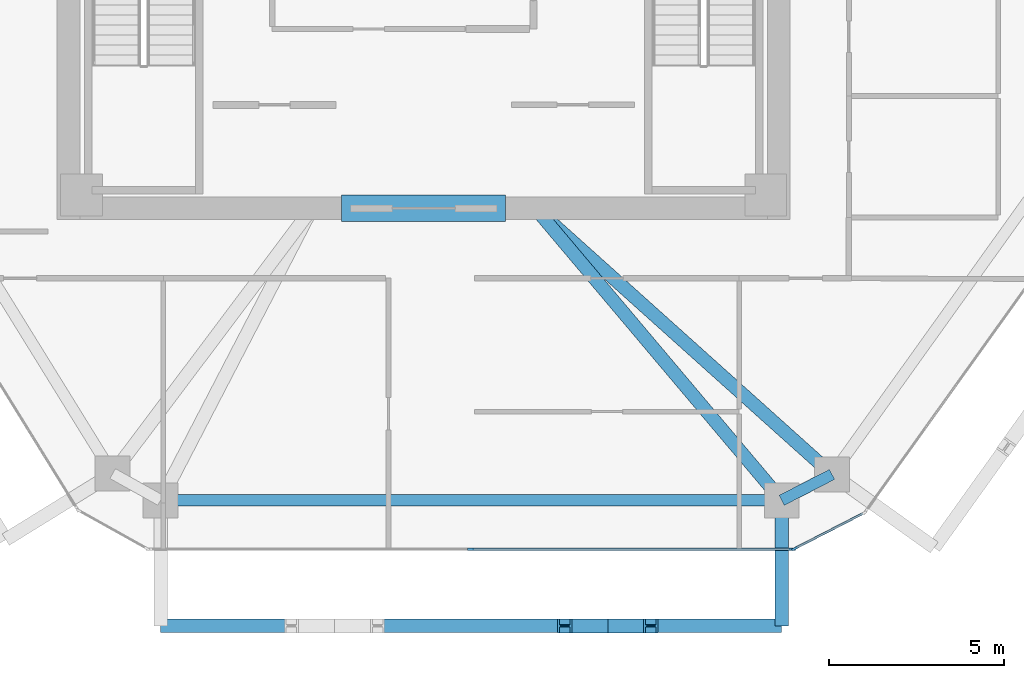
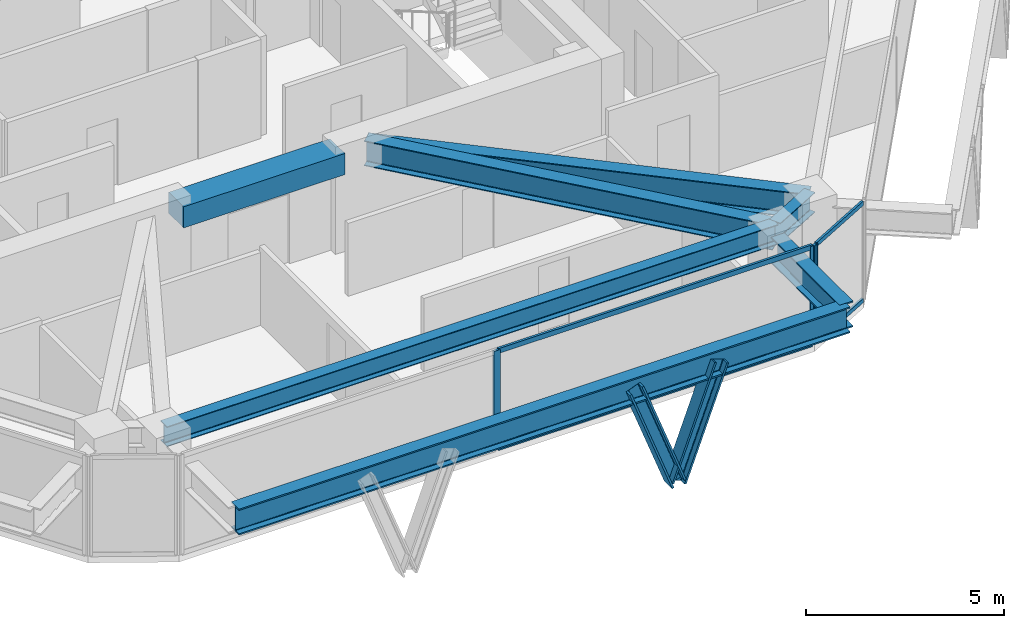
# One storey, part 3 of 11: 9 members, 7 beams, 2 elements without a shape of their own.
"""IFC4 building model written with IfcOpenShell, lengths in metres."""

from ifc_helpers import new_model, si_unit, direction, frame, origin, origin_2d, place, context, subcontext, project, spatial, rectangle, i_section, extrude, source, transform, mapped, material, layer, layer_set, material_profile, profile_set, type_object, type_shapes, element, aggregate, save


model = new_model("IFC4")

# Units and contexts
model_context = context("Model", 3, precision=1e-05, world=origin(), true_north=direction((0.0, 1.0)))
body_context = subcontext(model_context, "Body", "Model", "MODEL_VIEW")
ifc_project = project(units=[si_unit("LENGTHUNIT", "METRE"), si_unit("AREAUNIT", "SQUARE_METRE"), si_unit("VOLUMEUNIT", "CUBIC_METRE"), si_unit("PLANEANGLEUNIT", "RADIAN"), si_unit("MASSUNIT", "GRAM", prefix="KILO")], contexts=[model_context])

# Site, building, storey
site_placement = place(None, origin())
site = spatial("IfcSite", under=ifc_project, at=site_placement, CompositionType="ELEMENT")
building_placement = place(site_placement, origin())
building = spatial("IfcBuilding", under=site, at=building_placement, Name="Durnholm Broadcast Tower", CompositionType="ELEMENT")
storey_placement = place(building_placement, frame((0.0, 0.0, 196.89990234375)))
storey = spatial("IfcBuildingStorey", under=building, at=storey_placement, Name="L54", CompositionType="ELEMENT", Elevation=196.89990234375)

# Beams
ifc_material_1 = material(Name="Concrete C70/85", Category="concrete")
ifc_material_profile_1 = material_profile(ifc_material_1, rectangle(XDim=0.75, YDim=0.64990234375, at=origin_2d()), Name="RC750X650")
ifc_profile_set_1 = profile_set([ifc_material_profile_1], Name="Concrete C70/85")
beam_type_1 = type_object("IfcBeamType", Name="BM-CB-RC650", PredefinedType="LINTEL", material=ifc_profile_set_1)
shared_shape_1 = source(origin(), body_context, "Body", "SweptSolid", [
    extrude(rectangle(XDim=0.75, YDim=0.64990234375, at=origin_2d()), origin(), (0.0, 0.0, 1.0), 4.7001953125),
])
type_shapes(beam_type_1, [shared_shape_1])
beam_1_placement = place(storey_placement, frame((-2.35009765625, -8.175048828125, 2.72998046875), z_axis=(1.0, 0.0, 0.0), x_axis=(0.0, 1.0, 0.0)))
element("IfcBeam", 1, at=beam_1_placement, inside=storey, type_object=beam_type_1, Name="L54 south core coupling lintel beam CB-S", PredefinedType="LINTEL", context=body_context, shape_type="MappedRepresentation", body=[
    mapped(shared_shape_1, transform((0.0, 0.0, 0.0), x_axis=(1.0, 0.0, 0.0), y_axis=(0.0, 1.0, 0.0), z_axis=(0.0, 0.0, 1.0), scale=1.0)),
])
ifc_material_2 = material(Name="Steel ASTM A992 Grade 50", Category="steel")
ifc_material_profile_2 = material_profile(ifc_material_2, i_section(OverallWidth=0.385009765625, OverallDepth=0.802978515625, WebThickness=0.023681640625, FlangeThickness=0.0419921875, FilletRadius=0.032958984375, at=origin_2d()), Name="W30X261")
ifc_profile_set_2 = profile_set([ifc_material_profile_2], Name="Steel ASTM A992 Grade 50")
beam_type_2 = type_object("IfcBeamType", Name="BM-EXO-TIE", PredefinedType="USERDEFINED", material=ifc_profile_set_2)
shared_shape_2 = source(origin(), body_context, "Body", "SweptSolid", [
    extrude(i_section(OverallWidth=0.385009765625, OverallDepth=0.802978515625, WebThickness=0.023681640625, FlangeThickness=0.0419921875, FilletRadius=0.032958984375, at=origin_2d()), origin(), (0.0, 0.0, 1.0), 3.4560546875),
])
beam_2_placement = place(storey_placement, frame((10.256591796875, -16.68603515625, 2.30859375), z_axis=(0.0, -1.0, 0.0), x_axis=(1.0, 0.0, 0.0)))
element("IfcBeam", 2, at=beam_2_placement, inside=storey, type_object=beam_type_2, Name="L54 exoskeleton stand-off tie bracket F1.2", ObjectType="GIRDER", PredefinedType="USERDEFINED", context=body_context, shape_type="MappedRepresentation", body=[
    mapped(shared_shape_2, transform((0.0, 0.0, 0.0), x_axis=(1.0, 0.0, 0.0), y_axis=(0.0, 1.0, 0.0), z_axis=(0.0, 0.0, 1.0), scale=1.0)),
])
ifc_material_profile_3 = material_profile(ifc_material_2, i_section(OverallWidth=0.3251953125, OverallDepth=0.6162109375, WebThickness=0.013916015625, FlangeThickness=0.021484375, FilletRadius=0.02783203125, at=origin_2d()), Name="W24X117")
ifc_profile_set_3 = profile_set([ifc_material_profile_3], Name="Steel ASTM A992 Grade 50")
beam_type_3 = type_object("IfcBeamType", Name="STL-SP-W24X117", PredefinedType="SPANDREL", material=ifc_profile_set_3)
shared_shape_3 = source(origin(), body_context, "Body", "SweptSolid", [
    extrude(i_section(OverallWidth=0.3251953125, OverallDepth=0.6162109375, WebThickness=0.013916015625, FlangeThickness=0.021484375, FilletRadius=0.02783203125, at=origin_2d()), origin(), (0.0, 0.0, 1.0), 1.62255859375),
])
beam_3_placement = place(storey_placement, frame((11.69970703125, -15.80029296875, 2.737060546875), z_axis=(-0.889406668864, -0.45711680934, 0.0), x_axis=(0.45711680934, -0.889406668864, 0.0)))
element("IfcBeam", 3, at=beam_3_placement, inside=storey, type_object=beam_type_3, Name="L54 perimeter spandrel girder 10", PredefinedType="SPANDREL", context=body_context, shape_type="MappedRepresentation", body=[
    mapped(shared_shape_3, transform((0.0, 0.0, 0.0), x_axis=(1.0, 0.0, 0.0), y_axis=(0.0, 1.0, 0.0), z_axis=(0.0, 0.0, 1.0), scale=1.0)),
])
shared_shape_4 = source(origin(), body_context, "Body", "SweptSolid", [
    extrude(i_section(OverallWidth=0.3251953125, OverallDepth=0.6162109375, WebThickness=0.013916015625, FlangeThickness=0.021484375, FilletRadius=0.02783203125, at=origin_2d()), origin(), (0.0, 0.0, 1.0), 17.796142578125),
])
type_shapes(beam_type_3, [shared_shape_3, shared_shape_4])
beam_4_placement = place(storey_placement, frame((10.256591796875, -16.5419921875, 2.737060546875), z_axis=(-1.0, 0.0, 0.0), x_axis=(0.0, -1.0, 0.0)))
element("IfcBeam", 4, at=beam_4_placement, inside=storey, type_object=beam_type_3, Name="L54 perimeter spandrel girder 11", PredefinedType="SPANDREL", context=body_context, shape_type="MappedRepresentation", body=[
    mapped(shared_shape_4, transform((0.0, 0.0, 0.0), x_axis=(1.0, 0.0, 0.0), y_axis=(0.0, 1.0, 0.0), z_axis=(0.0, 0.0, 1.0), scale=1.0)),
])
shared_shape_5 = source(origin(), body_context, "Body", "SweptSolid", [
    extrude(i_section(OverallWidth=0.385009765625, OverallDepth=0.802978515625, WebThickness=0.023681640625, FlangeThickness=0.0419921875, FilletRadius=0.032958984375, at=origin_2d()), origin(), (0.0, 0.0, 1.0), 17.796142578125),
])
type_shapes(beam_type_2, [shared_shape_2, shared_shape_5])
beam_5_placement = place(storey_placement, frame((-7.53955078125, -20.14208984375, 2.30859375), z_axis=(1.0, 0.0, 0.0), x_axis=(0.0, 1.0, 0.0)))
element("IfcBeam", 5, at=beam_5_placement, inside=storey, type_object=beam_type_2, Name="L54 exoskeleton collector spandrel F1", PredefinedType="SPANDREL", context=body_context, shape_type="MappedRepresentation", body=[
    mapped(shared_shape_5, transform((0.0, 0.0, 0.0), x_axis=(1.0, 0.0, 0.0), y_axis=(0.0, 1.0, 0.0), z_axis=(0.0, 0.0, 1.0), scale=1.0)),
])
ifc_material_profile_4 = material_profile(ifc_material_2, i_section(OverallWidth=0.380615234375, OverallDepth=0.773193359375, WebThickness=0.0166015625, FlangeThickness=0.027099609375, FilletRadius=0.032958984375, at=origin_2d()), Name="W30X173")
ifc_profile_set_4 = profile_set([ifc_material_profile_4], Name="Steel ASTM A992 Grade 50")
beam_type_4 = type_object("IfcBeamType", Name="STL-GR-W30X173", PredefinedType="USERDEFINED", material=ifc_profile_set_4)
shared_shape_6 = source(origin(), body_context, "Body", "SweptSolid", [
    extrude(i_section(OverallWidth=0.380615234375, OverallDepth=0.773193359375, WebThickness=0.0166015625, FlangeThickness=0.027099609375, FilletRadius=0.032958984375, at=origin_2d()), origin(), (0.0, 0.0, 1.0), 11.4189453125),
])
beam_6_placement = place(storey_placement, frame((3.199951171875, -8.175048828125, 2.658447265625), z_axis=(0.744361631918, -0.667776729849, 0.0), x_axis=(0.667776729849, 0.744361631918, 0.0)))
element("IfcBeam", 6, at=beam_6_placement, inside=storey, type_object=beam_type_4, Name="L54 radial primary floor girder 10", ObjectType="GIRDER", PredefinedType="USERDEFINED", context=body_context, shape_type="MappedRepresentation", body=[
    mapped(shared_shape_6, transform((0.0, 0.0, 0.0), x_axis=(1.0, 0.0, 0.0), y_axis=(0.0, 1.0, 0.0), z_axis=(0.0, 0.0, 1.0), scale=1.0)),
])
shared_shape_7 = source(origin(), body_context, "Body", "SweptSolid", [
    extrude(i_section(OverallWidth=0.380615234375, OverallDepth=0.773193359375, WebThickness=0.0166015625, FlangeThickness=0.027099609375, FilletRadius=0.032958984375, at=origin_2d()), origin(), (0.0, 0.0, 1.0), 10.9453125),
])
type_shapes(beam_type_4, [shared_shape_6, shared_shape_7])
beam_7_placement = place(storey_placement, frame((3.199951171875, -8.175048828125, 2.658447265625), z_axis=(0.644712536066, -0.764425108065, 0.0), x_axis=(0.764425108065, 0.644712536066, 0.0)))
element("IfcBeam", 7, at=beam_7_placement, inside=storey, type_object=beam_type_4, Name="L54 radial primary floor girder 11", ObjectType="GIRDER", PredefinedType="USERDEFINED", context=body_context, shape_type="MappedRepresentation", body=[
    mapped(shared_shape_7, transform((0.0, 0.0, 0.0), x_axis=(1.0, 0.0, 0.0), y_axis=(0.0, 1.0, 0.0), z_axis=(0.0, 0.0, 1.0), scale=1.0)),
])

# Members
ifc_material_3 = material(Name="Steel ASTM A913 Grade 65", Category="steel")
ifc_material_profile_5 = material_profile(ifc_material_3, i_section(OverallWidth=0.412109375, OverallDepth=0.434814453125, WebThickness=0.035888671875, FlangeThickness=0.057373046875, FilletRadius=0.030517578125, at=origin_2d()), Name="W14X311")
ifc_profile_set_5 = profile_set([ifc_material_profile_5], Name="Steel ASTM A913 Grade 65")
member_type_1 = type_object("IfcMemberType", Name="STL-DG-W14X311", PredefinedType="BRACE", material=ifc_profile_set_5)
shared_shape_8 = source(origin(), body_context, "Body", "SweptSolid", [
    extrude(i_section(OverallWidth=0.412109375, OverallDepth=0.434814453125, WebThickness=0.035888671875, FlangeThickness=0.057373046875, FilletRadius=0.030517578125, at=origin_2d()), origin(), (0.0, 0.0, 1.0), 3.523193359375),
])
type_shapes(member_type_1, [shared_shape_8])
for number, where, z_axis, x_axis, name in (
    (8, (5.273681640625, -20.14208984375, -0.991455078125), (-0.350219588454, 0.0, 0.936667625075), (0.0, -1.0, 0.0), "L54 stand-off diagrid brace F1.D2.1"),
    (9, (5.273681640625, -20.14208984375, -0.991455078125), (0.350219588454, 0.0, 0.936667625075), (0.0, 1.0, 0.0), "L54 stand-off diagrid brace F1.D2.2"),
):
    element("IfcMember", number, at=place(storey_placement, frame(where, z_axis=z_axis, x_axis=x_axis)), inside=storey, type_object=member_type_1, Name=name, PredefinedType="BRACE", context=body_context, shape_type="MappedRepresentation", body=[
        mapped(shared_shape_8, transform((0.0, 0.0, 0.0), x_axis=(1.0, 0.0, 0.0), y_axis=(0.0, 1.0, 0.0), z_axis=(0.0, 0.0, 1.0), scale=1.0)),
    ])

# Curtain wall, members
ifc_material_4 = material(Name="Aluminium and Solar Control IGU", Category="aluminium")
ifc_layer_1 = layer(ifc_material_4, 0.1650390625)
ifc_layer_set_1 = layer_set([ifc_layer_1], Name="Aluminium and Solar Control IGU")
curtain_wall_type_1 = type_object("IfcCurtainWallType", Name="CW-SYS-5", PredefinedType="NOTDEFINED", material=ifc_layer_set_1)
curtain_wall_1_placement = place(storey_placement, origin())
curtain_wall_1 = element("IfcCurtainWall", 10, at=curtain_wall_1_placement, inside=storey, type_object=curtain_wall_type_1, Name="L54 curtain wall CW-CORNER CW-L54-CRN-09", PredefinedType="NOTDEFINED")
ifc_material_5 = material(Name="Aluminium 6063-T6", Category="aluminium")
ifc_material_profile_6 = material_profile(ifc_material_5, rectangle(XDim=0.06494140625, YDim=0.1650390625, at=origin_2d()), Name="CWM65X165")
ifc_profile_set_6 = profile_set([ifc_material_profile_6], Name="Aluminium 6063-T6")
member_type_2 = type_object("IfcMemberType", Name="CW-SYS-5-MUL", PredefinedType="MULLION", material=ifc_profile_set_6)
shared_shape_9 = source(origin(), body_context, "Body", "SweptSolid", [
    extrude(rectangle(XDim=0.06494140625, YDim=0.1650390625, at=origin_2d()), origin(), (0.0, 0.0, 1.0), 3.06005859375),
])
type_shapes(member_type_2, [shared_shape_9])
member_1_placement = place(storey_placement, frame((10.624267578125, -17.92724609375, 0.0), z_axis=(0.0, 0.0, 1.0), x_axis=(0.457081764476, -0.889424679545, 0.0)))
member_1 = element("IfcMember", 11, at=member_1_placement, type_object=member_type_2, Name="CW-CORNER mullion 2", PredefinedType="MULLION", context=body_context, shape_type="MappedRepresentation", body=[
    mapped(shared_shape_9, transform((0.0, 0.0, 0.0), x_axis=(1.0, 0.0, 0.0), y_axis=(0.0, 1.0, 0.0), z_axis=(0.0, 0.0, 1.0), scale=1.0)),
])
ifc_material_profile_7 = material_profile(ifc_material_5, rectangle(XDim=0.06494140625, YDim=0.1298828125, at=origin_2d()), Name="CWT65X130")
ifc_profile_set_7 = profile_set([ifc_material_profile_7], Name="Aluminium 6063-T6")
member_type_3 = type_object("IfcMemberType", Name="CW-SYS-5-TRN", PredefinedType="USERDEFINED", material=ifc_profile_set_7)
shared_shape_10 = source(origin(), body_context, "Body", "SweptSolid", [
    extrude(rectangle(XDim=0.06494140625, YDim=0.1298828125, at=origin_2d()), origin(), (0.0, 0.0, 1.0), 2.170166015625),
])
type_shapes(member_type_3, [shared_shape_10])
member_2_placement = place(storey_placement, frame((12.583251953125, -16.92041015625, 0.03271484375), z_axis=(-0.889422414772, -0.457086171417, 0.0), x_axis=(0.457086171417, -0.889422414772, 0.0)))
member_2 = element("IfcMember", 12, at=member_2_placement, type_object=member_type_3, Name="CW-CORNER transom 1.1", ObjectType="TRANSOM", PredefinedType="USERDEFINED", context=body_context, shape_type="MappedRepresentation", body=[
    mapped(shared_shape_10, transform((0.0, 0.0, 0.0), x_axis=(1.0, 0.0, 0.0), y_axis=(0.0, 1.0, 0.0), z_axis=(0.0, 0.0, 1.0), scale=1.0)),
])
member_3_placement = place(storey_placement, frame((12.583251953125, -16.92041015625, 3.027587890625), z_axis=(-0.889422414772, -0.457086171417, 0.0), x_axis=(0.457086171417, -0.889422414772, 0.0)))
member_3 = element("IfcMember", 13, at=member_3_placement, type_object=member_type_3, Name="CW-CORNER transom 1.2", ObjectType="TRANSOM", PredefinedType="USERDEFINED", context=body_context, shape_type="MappedRepresentation", body=[
    mapped(shared_shape_10, transform((0.0, 0.0, 0.0), x_axis=(1.0, 0.0, 0.0), y_axis=(0.0, 1.0, 0.0), z_axis=(0.0, 0.0, 1.0), scale=1.0)),
])
aggregate(curtain_wall_1, [member_1, member_2, member_3])

ifc_layer_2 = layer(ifc_material_4, 0.18994140625)
ifc_layer_set_2 = layer_set([ifc_layer_2], Name="Aluminium and Solar Control IGU")
curtain_wall_type_2 = type_object("IfcCurtainWallType", Name="CW-SYS-4", PredefinedType="NOTDEFINED", material=ifc_layer_set_2)
curtain_wall_2_placement = place(storey_placement, origin())
curtain_wall_2 = element("IfcCurtainWall", 14, at=curtain_wall_2_placement, inside=storey, type_object=curtain_wall_type_2, Name="L54 curtain wall CW-Z34-VIS CW-L54-F10", PredefinedType="NOTDEFINED")
ifc_material_profile_8 = material_profile(ifc_material_5, rectangle(XDim=0.070068359375, YDim=0.14990234375, at=origin_2d()), Name="CWT70X150")
ifc_profile_set_8 = profile_set([ifc_material_profile_8], Name="Aluminium 6063-T6")
member_type_4 = type_object("IfcMemberType", Name="CW-SYS-4-TRN", PredefinedType="USERDEFINED", material=ifc_profile_set_8)
shared_shape_11 = source(origin(), body_context, "Body", "SweptSolid", [
    extrude(rectangle(XDim=0.070068359375, YDim=0.14990234375, at=origin_2d()), origin(), (0.0, 0.0, 1.0), 9.14453125),
])
type_shapes(member_type_4, [shared_shape_11])
member_4_placement = place(storey_placement, frame((10.525390625, -17.94189453125, 0.03515625), z_axis=(-1.0, 0.0, 0.0), x_axis=(0.0, -1.0, 0.0)))
member_4 = element("IfcMember", 15, at=member_4_placement, type_object=member_type_4, Name="CW-Z34-VIS transom 1.1", ObjectType="TRANSOM", PredefinedType="USERDEFINED", context=body_context, shape_type="MappedRepresentation", body=[
    mapped(shared_shape_11, transform((0.0, 0.0, 0.0), x_axis=(1.0, 0.0, 0.0), y_axis=(0.0, 1.0, 0.0), z_axis=(0.0, 0.0, 1.0), scale=1.0)),
])
member_5_placement = place(storey_placement, frame((10.525390625, -17.94189453125, 3.025146484375), z_axis=(-1.0, 0.0, 0.0), x_axis=(0.0, -1.0, 0.0)))
member_5 = element("IfcMember", 16, at=member_5_placement, type_object=member_type_4, Name="CW-Z34-VIS transom 1.2", ObjectType="TRANSOM", PredefinedType="USERDEFINED", context=body_context, shape_type="MappedRepresentation", body=[
    mapped(shared_shape_11, transform((0.0, 0.0, 0.0), x_axis=(1.0, 0.0, 0.0), y_axis=(0.0, 1.0, 0.0), z_axis=(0.0, 0.0, 1.0), scale=1.0)),
])
ifc_material_profile_9 = material_profile(ifc_material_5, rectangle(XDim=0.070068359375, YDim=0.18994140625, at=origin_2d()), Name="CWM70X190")
ifc_profile_set_9 = profile_set([ifc_material_profile_9], Name="Aluminium 6063-T6")
member_type_5 = type_object("IfcMemberType", Name="CW-SYS-4-MUL", PredefinedType="MULLION", material=ifc_profile_set_9)
shared_shape_12 = source(origin(), body_context, "Body", "SweptSolid", [
    extrude(rectangle(XDim=0.070068359375, YDim=0.18994140625, at=origin_2d()), origin(), (0.0, 0.0, 1.0), 3.06005859375),
])
type_shapes(member_type_5, [shared_shape_12])
member_6_placement = place(storey_placement, frame((10.560302734375, -17.94189453125, 0.0), z_axis=(0.0, 0.0, 1.0), x_axis=(0.0, -1.0, 0.0)))
member_6 = element("IfcMember", 17, at=member_6_placement, type_object=member_type_5, Name="CW-Z34-VIS mullion 1", PredefinedType="MULLION", context=body_context, shape_type="MappedRepresentation", body=[
    mapped(shared_shape_12, transform((0.0, 0.0, 0.0), x_axis=(1.0, 0.0, 0.0), y_axis=(0.0, 1.0, 0.0), z_axis=(0.0, 0.0, 1.0), scale=1.0)),
])
member_7_placement = place(storey_placement, frame((1.345947265625, -17.94189453125, 0.0), z_axis=(0.0, 0.0, 1.0), x_axis=(0.0, -1.0, 0.0)))
member_7 = element("IfcMember", 18, at=member_7_placement, type_object=member_type_5, Name="CW-Z34-VIS mullion 2", PredefinedType="MULLION", context=body_context, shape_type="MappedRepresentation", body=[
    mapped(shared_shape_12, transform((0.0, 0.0, 0.0), x_axis=(1.0, 0.0, 0.0), y_axis=(0.0, 1.0, 0.0), z_axis=(0.0, 0.0, 1.0), scale=1.0)),
])
aggregate(curtain_wall_2, [member_6, member_7, member_4, member_5])

save(model, "model.ifc")
